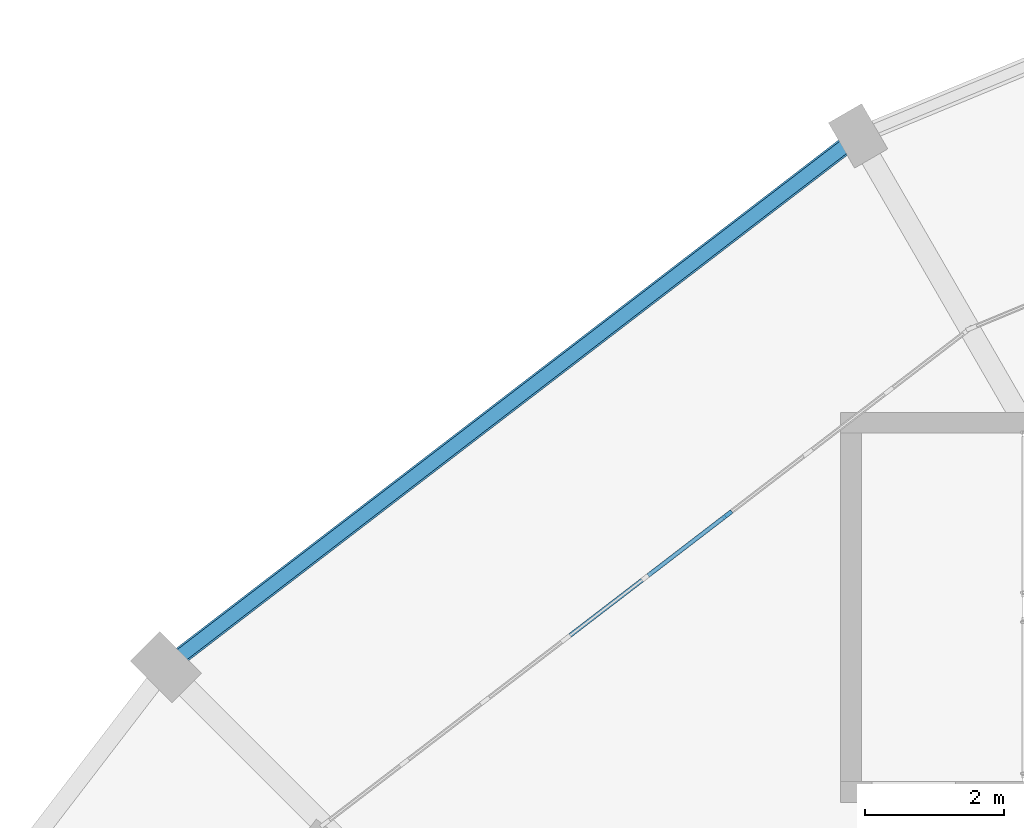
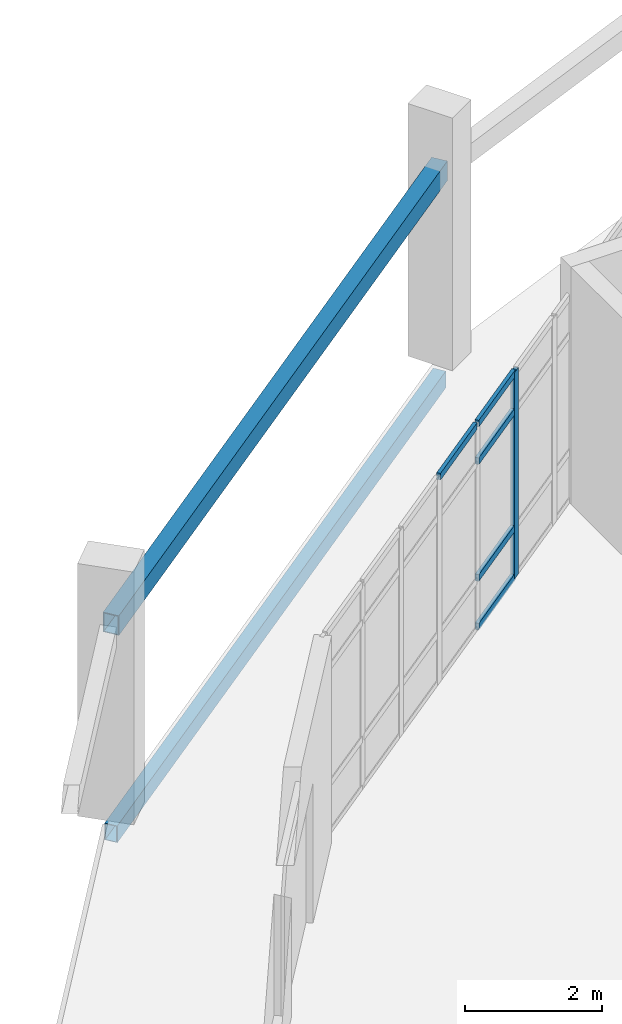
# One storey, part 53 of 122: 6 members, 2 beams, 1 element without a shape of its own.
"""IFC4 building model written with IfcOpenShell, lengths in metres."""

from ifc_helpers import new_model, si_unit, direction, frame, origin, origin_2d, place, context, subcontext, project, spatial, rectangle, hollow_rectangle, extrude, material, layer, layer_set, material_profile, profile_set, type_object, element, aggregate, save


model = new_model("IFC4")

# Units and contexts
model_context = context("Model", 3, precision=1e-05, world=origin(), true_north=direction((0.0, 1.0)))
body_context = subcontext(model_context, "Body", "Model", "MODEL_VIEW")
ifc_project = project(units=[si_unit("LENGTHUNIT", "METRE"), si_unit("AREAUNIT", "SQUARE_METRE"), si_unit("VOLUMEUNIT", "CUBIC_METRE"), si_unit("PLANEANGLEUNIT", "RADIAN"), si_unit("MASSUNIT", "GRAM", prefix="KILO")], contexts=[model_context])

# Site, building, storey
site_placement = place(None, origin())
site = spatial("IfcSite", under=ifc_project, at=site_placement, CompositionType="ELEMENT")
building_placement = place(site_placement, origin())
building = spatial("IfcBuilding", under=site, at=building_placement, Name="Sohan Crest Arena", CompositionType="ELEMENT")
storey_placement = place(building_placement, origin())
storey = spatial("IfcBuildingStorey", under=building, at=storey_placement, Name="L00", CompositionType="ELEMENT", Elevation=0.0)

# Curtain wall, members
ifc_material_1 = material(Name="Thermally broken anodised aluminium", Category="aluminium")
ifc_layer = layer(ifc_material_1, 0.179931640625, Name="Thermally broken anodised aluminium")
ifc_layer_set = layer_set([ifc_layer], Name="Thermally broken anodised aluminium")
curtain_wall_type = type_object("IfcCurtainWallType", Name="ARC-CW01", PredefinedType="NOTDEFINED", material=ifc_layer_set)
curtain_wall_placement = place(storey_placement, origin())
curtain_wall = element("IfcCurtainWall", 1, at=curtain_wall_placement, inside=storey, type_object=curtain_wall_type, Name="Unitised curtain wall CW-003", PredefinedType="NOTDEFINED")
ifc_material_profile_1 = material_profile(ifc_material_1, rectangle(XDim=0.06005859375, YDim=0.159912109375, at=origin_2d()), Name="ALU-MULL 60x160")
ifc_profile_set_1 = profile_set([ifc_material_profile_1], Name="Thermally broken anodised aluminium")
member_type_1 = type_object("IfcMemberType", Name="ARC-CW-ML01", PredefinedType="MULLION", material=ifc_profile_set_1)
member_1_placement = place(storey_placement, frame((72.120849609375, 114.1279296875, 0.0), z_axis=(0.0, 0.0, 1.0), x_axis=(0.608801264741, -0.79332277167, 0.0)))
member_1 = element("IfcMember", 2, at=member_1_placement, type_object=member_type_1, Name="CW-003 mullion 4", PredefinedType="MULLION", context=body_context, shape_type="SweptSolid", body=[
    extrude(rectangle(XDim=0.06005859375, YDim=0.159912109375, at=origin_2d()), origin(), (0.0, 0.0, 1.0), 3.679931640625),
])
ifc_material_profile_2 = material_profile(ifc_material_1, rectangle(XDim=0.06005859375, YDim=0.1201171875, at=origin_2d()), Name="ALU-TRAN 60x120")
ifc_profile_set_2 = profile_set([ifc_material_profile_2], Name="Thermally broken anodised aluminium")
member_type_2 = type_object("IfcMemberType", Name="ARC-CW-TR01", PredefinedType="USERDEFINED", material=ifc_profile_set_2)
member_2_placement = place(storey_placement, frame((72.096923828125, 114.109619140625, 0.030029296875), z_axis=(-0.793368013161, -0.608742306476, 0.0), x_axis=(0.608742306476, -0.793368013161, 0.0)))
member_2 = element("IfcMember", 3, at=member_2_placement, type_object=member_type_2, Name="CW-003 transom 4.1", ObjectType="TRANSOM", PredefinedType="USERDEFINED", context=body_context, shape_type="SweptSolid", body=[
    extrude(rectangle(XDim=0.06005859375, YDim=0.1201171875, at=origin_2d()), origin(), (0.0, 0.0, 1.0), 1.401611328125),
])
member_3_placement = place(storey_placement, frame((72.096923828125, 114.109619140625, 0.89990234375), z_axis=(-0.793368013161, -0.608742306476, 0.0), x_axis=(0.608742306476, -0.793368013161, 0.0)))
member_3 = element("IfcMember", 4, at=member_3_placement, type_object=member_type_2, Name="CW-003 transom 4.2", ObjectType="TRANSOM", PredefinedType="USERDEFINED", context=body_context, shape_type="SweptSolid", body=[
    extrude(rectangle(XDim=0.06005859375, YDim=0.1201171875, at=origin_2d()), origin(), (0.0, 0.0, 1.0), 1.401611328125),
])
member_4_placement = place(storey_placement, frame((72.096923828125, 114.109619140625, 2.97998046875), z_axis=(-0.793368013161, -0.608742306476, 0.0), x_axis=(0.608742306476, -0.793368013161, 0.0)))
member_4 = element("IfcMember", 5, at=member_4_placement, type_object=member_type_2, Name="CW-003 transom 4.3", ObjectType="TRANSOM", PredefinedType="USERDEFINED", context=body_context, shape_type="SweptSolid", body=[
    extrude(rectangle(XDim=0.06005859375, YDim=0.1201171875, at=origin_2d()), origin(), (0.0, 0.0, 1.0), 1.401611328125),
])
member_5_placement = place(storey_placement, frame((72.096923828125, 114.109619140625, 3.64990234375), z_axis=(-0.793368013161, -0.608742306476, 0.0), x_axis=(0.608742306476, -0.793368013161, 0.0)))
member_5 = element("IfcMember", 6, at=member_5_placement, type_object=member_type_2, Name="CW-003 transom 4.4", ObjectType="TRANSOM", PredefinedType="USERDEFINED", context=body_context, shape_type="SweptSolid", body=[
    extrude(rectangle(XDim=0.06005859375, YDim=0.1201171875, at=origin_2d()), origin(), (0.0, 0.0, 1.0), 1.401611328125),
])
member_6_placement = place(storey_placement, frame((70.937255859375, 113.2197265625, 3.64990234375), z_axis=(-0.793348442071, -0.608767812441, 0.0), x_axis=(0.608767812441, -0.793348442071, 0.0)))
member_6 = element("IfcMember", 7, at=member_6_placement, type_object=member_type_2, Name="CW-003 transom 5.4", ObjectType="TRANSOM", PredefinedType="USERDEFINED", context=body_context, shape_type="SweptSolid", body=[
    extrude(rectangle(XDim=0.06005859375, YDim=0.1201171875, at=origin_2d()), origin(), (0.0, 0.0, 1.0), 1.402099609375),
])
aggregate(curtain_wall, [member_1, member_2, member_3, member_4, member_5, member_6])

# Beams
ifc_material_2 = material(Name="Steel S355", Category="steel")
ifc_material_profile_3 = material_profile(ifc_material_2, hollow_rectangle(XDim=0.199951171875, YDim=0.300048828125, WallThickness=0.010009765625, at=origin_2d()), Name="RHS 300x200x10")
ifc_profile_set_3 = profile_set([ifc_material_profile_3], Name="Steel S355")
beam_type_1 = type_object("IfcBeamType", Name="STR-BM-SP03", PredefinedType="SPANDREL", material=ifc_profile_set_3)
beam_1_placement = place(storey_placement, frame((74.0, 119.569091796875, -0.425048828125), z_axis=(-0.793344121205, -0.608773443368, 0.0), x_axis=(0.608773443368, -0.793344121205, 0.0)))
element("IfcBeam", 8, at=beam_1_placement, inside=storey, type_object=beam_type_1, Name="Structural beam SP-L00-0914", PredefinedType="SPANDREL", context=body_context, shape_type="SweptSolid", body=[
    extrude(hollow_rectangle(XDim=0.199951171875, YDim=0.300048828125, WallThickness=0.010009765625, at=origin_2d()), origin(), (0.0, 0.0, 1.0), 12.530517578125),
])
ifc_material_profile_4 = material_profile(ifc_material_2, hollow_rectangle(XDim=0.25, YDim=0.35009765625, WallThickness=0.012451171875, at=origin_2d()), Name="RHS 350x250x12.5")
ifc_profile_set_4 = profile_set([ifc_material_profile_4], Name="Steel S355")
beam_type_2 = type_object("IfcBeamType", Name="STR-BM-SP04", PredefinedType="SPANDREL", material=ifc_profile_set_4)
beam_2_placement = place(storey_placement, frame((74.0, 119.569091796875, 3.300048828125), z_axis=(-0.793344121205, -0.608773443368, 0.0), x_axis=(0.608773443368, -0.793344121205, 0.0)))
element("IfcBeam", 9, at=beam_2_placement, inside=storey, type_object=beam_type_2, Name="Structural beam ARC-L00-0915", PredefinedType="SPANDREL", context=body_context, shape_type="SweptSolid", body=[
    extrude(hollow_rectangle(XDim=0.25, YDim=0.35009765625, WallThickness=0.012451171875, at=origin_2d()), origin(), (0.0, 0.0, 1.0), 12.530517578125),
])

save(model, "model.ifc")
